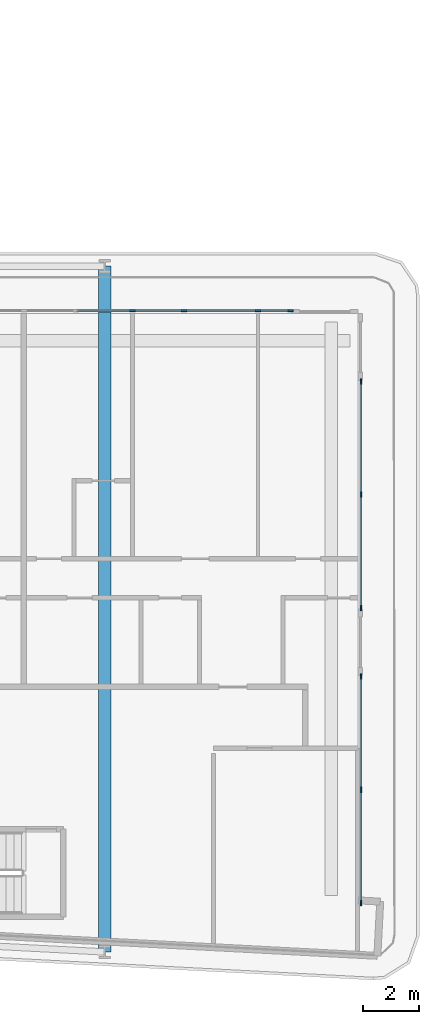
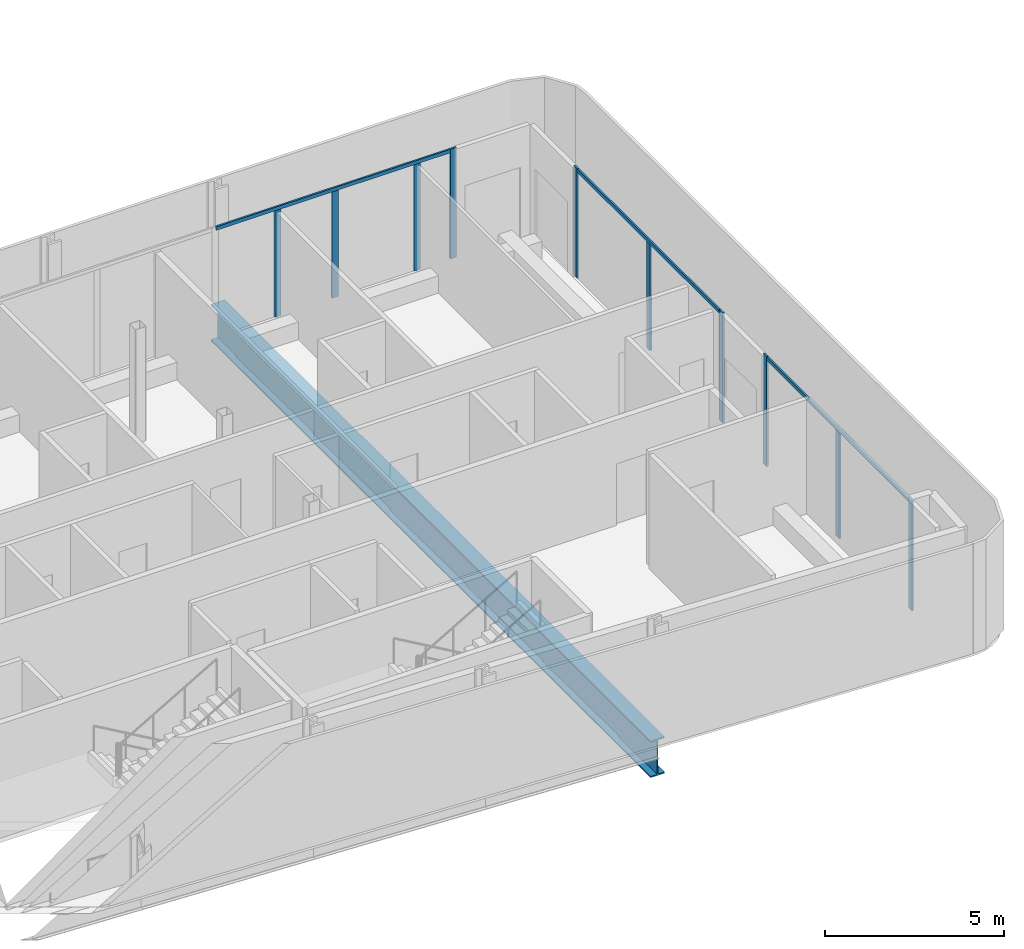
# One storey, part 8 of 29: 13 members, 1 beam, 3 elements without a shape of their own.
"""IFC4 building model written with IfcOpenShell, lengths in metres."""

from ifc_helpers import new_model, si_unit, direction, frame, origin, origin_2d, place, context, subcontext, project, spatial, rectangle, i_section, extrude, material, layer, layer_set, material_profile, profile_set, type_object, element, aggregate, save


model = new_model("IFC4")

# Units and contexts
model_context = context("Model", 3, precision=1e-05, world=origin(), true_north=direction((0.0, 1.0)))
body_context = subcontext(model_context, "Body", "Model", "MODEL_VIEW")
ifc_project = project(units=[si_unit("LENGTHUNIT", "METRE"), si_unit("AREAUNIT", "SQUARE_METRE"), si_unit("VOLUMEUNIT", "CUBIC_METRE"), si_unit("PLANEANGLEUNIT", "RADIAN"), si_unit("MASSUNIT", "GRAM", prefix="KILO")], contexts=[model_context])

# Site, building, storey
site_placement = place(None, origin())
site = spatial("IfcSite", under=ifc_project, at=site_placement, CompositionType="ELEMENT")
building_placement = place(site_placement, origin())
building = spatial("IfcBuilding", under=site, at=building_placement, Name="Kheshtan School and Residences Tower", CompositionType="ELEMENT")
storey_placement = place(building_placement, frame((0.0, 0.0, 61.699951171875)))
storey = spatial("IfcBuildingStorey", under=building, at=storey_placement, Name="L14", CompositionType="ELEMENT", Elevation=61.699951171875)

# Curtain wall, members
ifc_material_1 = material(Name="Clear low-e glass in thermally broken aluminium frame", Category="aluminium")
ifc_layer = layer(ifc_material_1, 0.199951171875)
ifc_layer_set = layer_set([ifc_layer], Name="Curtain wall CW-L")
curtain_wall_type = type_object("IfcCurtainWallType", Name="Curtain wall CW-L", PredefinedType="NOTDEFINED", material=ifc_layer_set)
curtain_wall_1_placement = place(storey_placement, origin())
curtain_wall_1 = element("IfcCurtainWall", 1, at=curtain_wall_1_placement, inside=storey, type_object=curtain_wall_type, Name="Curtain wall CWL12m", PredefinedType="NOTDEFINED")
ifc_material_2 = material(Name="Thermally broken aluminium, dark bronze anodised", Category="aluminium")
ifc_material_profile_1 = material_profile(ifc_material_2, rectangle(XDim=0.06005859375, YDim=0.199951171875, at=origin_2d()), Name="CW-L mullion 60x200")
ifc_profile_set_1 = profile_set([ifc_material_profile_1], Name="Thermally broken aluminium, dark bronze anodised")
member_type_1 = type_object("IfcMemberType", Name="CW-L mullion 60x200", PredefinedType="MULLION", material=ifc_profile_set_1)
member_1_placement = place(storey_placement, frame((91.800048828125, 44.0, 0.0), z_axis=(0.0, 0.0, 1.0), x_axis=(0.0, 1.0, 0.0)))
member_1 = element("IfcMember", 2, at=member_1_placement, type_object=member_type_1, Name="CWL12m mullion 2", PredefinedType="MULLION", context=body_context, shape_type="SweptSolid", body=[
    extrude(rectangle(XDim=0.06005859375, YDim=0.199951171875, at=origin_2d()), origin(), (0.0, 0.0, 1.0), 3.630126953125),
])
member_2_placement = place(storey_placement, frame((93.653076171875, 44.0, 0.0), z_axis=(0.0, 0.0, 1.0), x_axis=(0.0, 1.0, 0.0)))
member_2 = element("IfcMember", 3, at=member_2_placement, type_object=member_type_1, Name="CWL12m mullion 3", PredefinedType="MULLION", context=body_context, shape_type="SweptSolid", body=[
    extrude(rectangle(XDim=0.06005859375, YDim=0.199951171875, at=origin_2d()), origin(), (0.0, 0.0, 1.0), 3.630126953125),
])
member_3_placement = place(storey_placement, frame((96.300048828125, 44.0, 0.0), z_axis=(0.0, 0.0, 1.0), x_axis=(0.0, 1.0, 0.0)))
member_3 = element("IfcMember", 4, at=member_3_placement, type_object=member_type_1, Name="CWL12m mullion 4", PredefinedType="MULLION", context=body_context, shape_type="SweptSolid", body=[
    extrude(rectangle(XDim=0.06005859375, YDim=0.199951171875, at=origin_2d()), origin(), (0.0, 0.0, 1.0), 3.630126953125),
])
member_4_placement = place(storey_placement, frame((97.469970703125, 44.0, 0.0), z_axis=(0.0, 0.0, 1.0), x_axis=(0.0, 1.0, 0.0)))
member_4 = element("IfcMember", 5, at=member_4_placement, type_object=member_type_1, Name="CWL12m mullion 5", PredefinedType="MULLION", context=body_context, shape_type="SweptSolid", body=[
    extrude(rectangle(XDim=0.06005859375, YDim=0.199951171875, at=origin_2d()), origin(), (0.0, 0.0, 1.0), 3.75),
])

curtain_wall_2_placement = place(storey_placement, origin())
curtain_wall_2 = element("IfcCurtainWall", 6, at=curtain_wall_2_placement, inside=storey, type_object=curtain_wall_type, Name="Curtain wall CWL13b", PredefinedType="NOTDEFINED")
member_5_placement = place(storey_placement, frame((100.0, 41.469970703125, 0.0), z_axis=(0.0, 0.0, 1.0), x_axis=(1.0, 0.0, 0.0)))
member_5 = element("IfcMember", 7, at=member_5_placement, type_object=member_type_1, Name="CWL13b mullion 1", PredefinedType="MULLION", context=body_context, shape_type="SweptSolid", body=[
    extrude(rectangle(XDim=0.06005859375, YDim=0.199951171875, at=origin_2d()), origin(), (0.0, 0.0, 1.0), 3.75),
])
member_6_placement = place(storey_placement, frame((100.0, 37.403564453125, 0.0), z_axis=(0.0, 0.0, 1.0), x_axis=(1.0, 0.0, 0.0)))
member_6 = element("IfcMember", 8, at=member_6_placement, type_object=member_type_1, Name="CWL13b mullion 2", PredefinedType="MULLION", context=body_context, shape_type="SweptSolid", body=[
    extrude(rectangle(XDim=0.06005859375, YDim=0.199951171875, at=origin_2d()), origin(), (0.0, 0.0, 1.0), 3.630126953125),
])
member_7_placement = place(storey_placement, frame((100.0, 33.3369140625, 0.0), z_axis=(0.0, 0.0, 1.0), x_axis=(1.0, 0.0, 0.0)))
member_7 = element("IfcMember", 9, at=member_7_placement, type_object=member_type_1, Name="CWL13b mullion 3", PredefinedType="MULLION", context=body_context, shape_type="SweptSolid", body=[
    extrude(rectangle(XDim=0.06005859375, YDim=0.199951171875, at=origin_2d()), origin(), (0.0, 0.0, 1.0), 3.75),
])

curtain_wall_3_placement = place(storey_placement, origin())
curtain_wall_3 = element("IfcCurtainWall", 10, at=curtain_wall_3_placement, inside=storey, type_object=curtain_wall_type, Name="Curtain wall CWL13b", PredefinedType="NOTDEFINED")
member_8_placement = place(storey_placement, frame((100.0, 30.876953125, 0.0), z_axis=(0.0, 0.0, 1.0), x_axis=(1.0, 0.0, 0.0)))
member_8 = element("IfcMember", 11, at=member_8_placement, type_object=member_type_1, Name="CWL13b mullion 1", PredefinedType="MULLION", context=body_context, shape_type="SweptSolid", body=[
    extrude(rectangle(XDim=0.06005859375, YDim=0.199951171875, at=origin_2d()), origin(), (0.0, 0.0, 1.0), 3.75),
])
member_9_placement = place(storey_placement, frame((100.0, 26.810546875, 0.0), z_axis=(0.0, 0.0, 1.0), x_axis=(1.0, 0.0, 0.0)))
member_9 = element("IfcMember", 12, at=member_9_placement, type_object=member_type_1, Name="CWL13b mullion 2", PredefinedType="MULLION", context=body_context, shape_type="SweptSolid", body=[
    extrude(rectangle(XDim=0.06005859375, YDim=0.199951171875, at=origin_2d()), origin(), (0.0, 0.0, 1.0), 3.630126953125),
])
member_10_placement = place(storey_placement, frame((100.0, 22.743896484375, 0.0), z_axis=(0.0, 0.0, 1.0), x_axis=(1.0, 0.0, 0.0)))
member_10 = element("IfcMember", 13, at=member_10_placement, type_object=member_type_1, Name="CWL13b mullion 3", PredefinedType="MULLION", context=body_context, shape_type="SweptSolid", body=[
    extrude(rectangle(XDim=0.06005859375, YDim=0.199951171875, at=origin_2d()), origin(), (0.0, 0.0, 1.0), 3.75),
])

# Member
ifc_material_profile_2 = material_profile(ifc_material_2, rectangle(XDim=0.06005859375, YDim=0.1201171875, at=origin_2d()), Name="CW-L transom 60x120")
ifc_profile_set_2 = profile_set([ifc_material_profile_2], Name="Thermally broken aluminium, dark bronze anodised")
member_type_2 = type_object("IfcMemberType", Name="CW-L transom 60x120", PredefinedType="USERDEFINED", material=ifc_profile_set_2)
member_11_placement = place(storey_placement, frame((89.805908203125, 44.0, 3.68994140625), z_axis=(1.0, 0.0, 0.0), x_axis=(0.0, 1.0, 0.0)))
member_11 = element("IfcMember", 14, at=member_11_placement, type_object=member_type_2, Name="CWL12m transom 1", ObjectType="TRANSOM", PredefinedType="USERDEFINED", context=body_context, shape_type="SweptSolid", body=[
    extrude(rectangle(XDim=0.06005859375, YDim=0.1201171875, at=origin_2d()), origin(), (0.0, 0.0, 1.0), 7.634033203125),
])

aggregate(curtain_wall_1, [member_1, member_2, member_3, member_4, member_11])

member_12_placement = place(storey_placement, frame((100.0, 41.43994140625, 3.68994140625), z_axis=(0.0, -1.0, 0.0), x_axis=(1.0, 0.0, 0.0)))
member_12 = element("IfcMember", 15, at=member_12_placement, type_object=member_type_2, Name="CWL13b transom 1", ObjectType="TRANSOM", PredefinedType="USERDEFINED", context=body_context, shape_type="SweptSolid", body=[
    extrude(rectangle(XDim=0.06005859375, YDim=0.1201171875, at=origin_2d()), origin(), (0.0, 0.0, 1.0), 8.072998046875),
])

aggregate(curtain_wall_2, [member_5, member_6, member_7, member_12])

member_13_placement = place(storey_placement, frame((100.0, 30.846923828125, 3.68994140625), z_axis=(0.0, -1.0, 0.0), x_axis=(1.0, 0.0, 0.0)))
member_13 = element("IfcMember", 16, at=member_13_placement, type_object=member_type_2, Name="CWL13b transom 1", ObjectType="TRANSOM", PredefinedType="USERDEFINED", context=body_context, shape_type="SweptSolid", body=[
    extrude(rectangle(XDim=0.06005859375, YDim=0.1201171875, at=origin_2d()), origin(), (0.0, 0.0, 1.0), 8.072998046875),
])

aggregate(curtain_wall_3, [member_8, member_9, member_10, member_13])

# Beam
ifc_material_3 = material(Name="Steel ASTM A992 Grade 50", Category="steel")
ifc_material_profile_3 = material_profile(ifc_material_3, i_section(OverallWidth=0.449951171875, OverallDepth=1.25, WebThickness=0.02490234375, FlangeThickness=0.044921875, FilletRadius=0.03759765625, at=origin_2d()), Name="WWF1250x546")
ifc_profile_set_3 = profile_set([ifc_material_profile_3], Name="Steel ASTM A992 Grade 50")
beam_type = type_object("IfcBeamType", Name="Transfer girder TG4 WWF1250x546 ASTM A992 Grade 50", PredefinedType="BEAM", material=ifc_profile_set_3)
beam_placement = place(storey_placement, frame((90.800048828125, 45.60009765625, -0.77490234375), z_axis=(0.0, -1.0, 0.0), x_axis=(1.0, 0.0, 0.0)))
element("IfcBeam", 17, at=beam_placement, inside=storey, type_object=beam_type, Name="Transfer girder C068-C006", PredefinedType="BEAM", context=body_context, shape_type="SweptSolid", body=[
    extrude(i_section(OverallWidth=0.449951171875, OverallDepth=1.25, WebThickness=0.02490234375, FlangeThickness=0.044921875, FilletRadius=0.03759765625, at=origin_2d()), origin(), (0.0, 0.0, 1.0), 24.610107421875),
])

save(model, "model.ifc")
